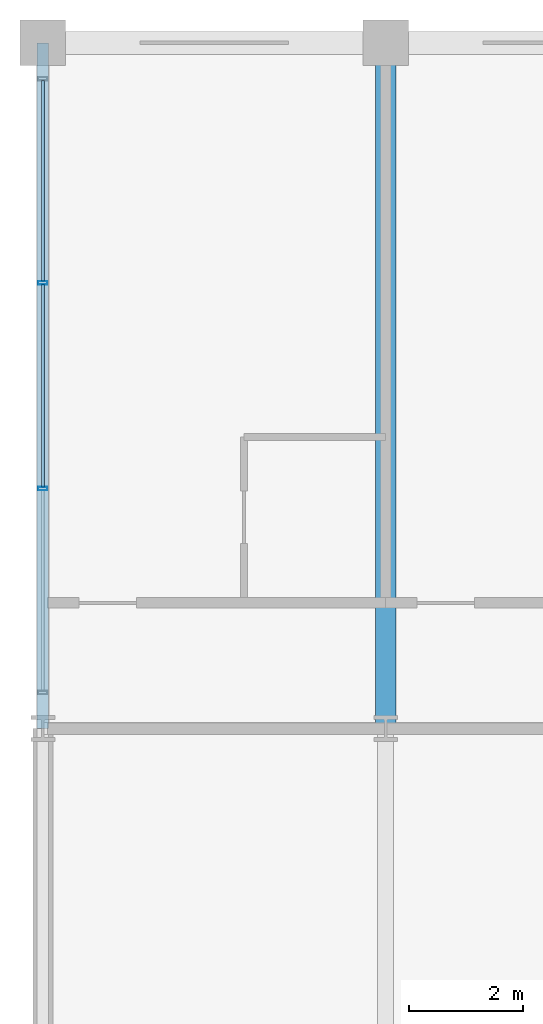
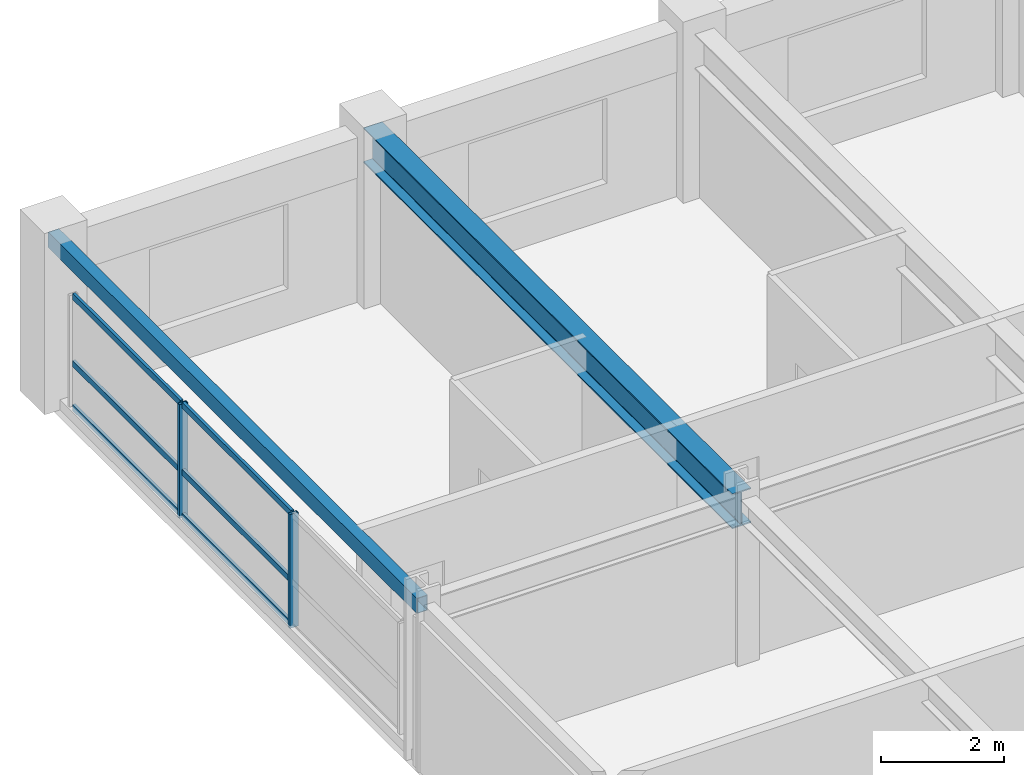
# One storey, part 8 of 27: 8 members, 2 beams, 1 element without a shape of its own.
"""IFC4 building model written with IfcOpenShell, lengths in metres."""

from ifc_helpers import new_model, si_unit, direction, frame, origin, origin_2d, place, context, subcontext, project, spatial, hollow_rectangle, i_section, extrude, material, material_profile, profile_set, type_object, element, aggregate, save


model = new_model("IFC4")

# Units and contexts
model_context = context("Model", 3, precision=1e-05, world=origin(), true_north=direction((0.0, 1.0)))
body_context = subcontext(model_context, "Body", "Model", "MODEL_VIEW")
ifc_project = project(units=[si_unit("LENGTHUNIT", "METRE"), si_unit("AREAUNIT", "SQUARE_METRE"), si_unit("VOLUMEUNIT", "CUBIC_METRE"), si_unit("PLANEANGLEUNIT", "RADIAN"), si_unit("MASSUNIT", "GRAM", prefix="KILO")], contexts=[model_context])

# Site, building, storey
site_placement = place(None, origin())
site = spatial("IfcSite", under=ifc_project, at=site_placement, CompositionType="ELEMENT")
building_placement = place(site_placement, origin())
building = spatial("IfcBuilding", under=site, at=building_placement, Name="Kaldorvane Square Convention Centre", CompositionType="ELEMENT")
storey_placement = place(building_placement, frame((0.0, 0.0, 38.399993896484375)))
storey = spatial("IfcBuildingStorey", under=building, at=storey_placement, Name="L08", CompositionType="ELEMENT", Elevation=38.399993896484375)

# Beams
ifc_material_1 = material(Name="Steel ASTM A992 Gr. 50", Category="steel")
ifc_material_profile_1 = material_profile(ifc_material_1, i_section(OverallWidth=0.354705810546875, OverallDepth=0.69549560546875, WebThickness=0.0153961181640625, FlangeThickness=0.0251007080078125, FilletRadius=0.01519775390625, at=origin_2d()), Name="W27X146")
ifc_profile_set_1 = profile_set([ifc_material_profile_1], Name="Steel ASTM A992 Gr. 50")
beam_type_1 = type_object("IfcBeamType", Name="BM-GR-W27X146", PredefinedType="BEAM", material=ifc_profile_set_1)
beam_1_placement = place(storey_placement, frame((30.0, 105.0, 2.9383087158203125), z_axis=(0.0, 1.0, 0.0), x_axis=(-1.0, 0.0, 0.0)))
element("IfcBeam", 1, at=beam_1_placement, inside=storey, type_object=beam_type_1, Name="Transverse Girder (L08)", PredefinedType="BEAM", context=body_context, shape_type="SweptSolid", body=[
    extrude(i_section(OverallWidth=0.354705810546875, OverallDepth=0.69549560546875, WebThickness=0.0153961181640625, FlangeThickness=0.0251007080078125, FilletRadius=0.01519775390625, at=origin_2d()), origin(), (0.0, 0.0, 1.0), 12.0),
])
ifc_material_2 = material(Name="Steel ASTM A500 Gr. C", Category="steel")
ifc_material_profile_2 = material_profile(ifc_material_2, hollow_rectangle(XDim=0.2032012939453125, YDim=0.3047943115234375, WallThickness=0.0088958740234375, at=origin_2d()), Name="HSS12X8X3/8")
ifc_profile_set_2 = profile_set([ifc_material_profile_2], Name="Steel ASTM A500 Gr. C")
beam_type_2 = type_object("IfcBeamType", Name="BM-SP-HSS12", PredefinedType="SPANDREL", material=ifc_profile_set_2)
beam_2_placement = place(storey_placement, frame((24.0, 105.0, 3.13360595703125), z_axis=(0.0, 1.0, 0.0), x_axis=(-1.0, 0.0, 0.0)))
element("IfcBeam", 2, at=beam_2_placement, inside=storey, type_object=beam_type_2, Name="End Spandrel (L08)", PredefinedType="SPANDREL", context=body_context, shape_type="SweptSolid", body=[
    extrude(hollow_rectangle(XDim=0.2032012939453125, YDim=0.3047943115234375, WallThickness=0.0088958740234375, at=origin_2d()), origin(), (0.0, 0.0, 1.0), 12.0),
])

# Curtain wall, members
ifc_material_3 = material(Name="Anodized Aluminum and Low-E Insulated Glazing", Category="aluminium")
curtain_wall_type = type_object("IfcCurtainWallType", Name="CW-UNI-HTL-B", PredefinedType="USERDEFINED", material=ifc_material_3)
curtain_wall_placement = place(storey_placement, origin())
curtain_wall = element("IfcCurtainWall", 3, at=curtain_wall_placement, inside=storey, type_object=curtain_wall_type, Name="Curtain Wall CW-11 (L08)", ObjectType="UNITISED GLAZING", PredefinedType="USERDEFINED")
ifc_material_profile_3 = material_profile(ifc_material_3, hollow_rectangle(XDim=0.05999755859375, YDim=0.160003662109375, WallThickness=0.003204345703125, at=origin_2d()), Name="CWM-160X60")
ifc_profile_set_3 = profile_set([ifc_material_profile_3], Name="Anodized Aluminum and Low-E Insulated Glazing")
member_type_1 = type_object("IfcMemberType", Name="CW-MUL-160", PredefinedType="MULLION", material=ifc_profile_set_3)
member_1_placement = place(storey_placement, frame((24.0, 112.80000305175781, 0.1500091552734375), z_axis=(0.0, 0.0, 1.0), x_axis=(0.0, -1.0, 0.0)))
member_1 = element("IfcMember", 4, at=member_1_placement, type_object=member_type_1, Name="CW-11 mullion 2", PredefinedType="MULLION", context=body_context, shape_type="SweptSolid", body=[
    extrude(hollow_rectangle(XDim=0.05999755859375, YDim=0.160003662109375, WallThickness=0.003204345703125, at=origin_2d()), origin(), (0.0, 0.0, 1.0), 2.2599945068359375),
])
member_2_placement = place(storey_placement, frame((24.0, 109.19999694824219, 0.1500091552734375), z_axis=(0.0, 0.0, 1.0), x_axis=(0.0, -1.0, 0.0)))
member_2 = element("IfcMember", 5, at=member_2_placement, type_object=member_type_1, Name="CW-11 mullion 3", PredefinedType="MULLION", context=body_context, shape_type="SweptSolid", body=[
    extrude(hollow_rectangle(XDim=0.05999755859375, YDim=0.160003662109375, WallThickness=0.003204345703125, at=origin_2d()), origin(), (0.0, 0.0, 1.0), 2.2599945068359375),
])
ifc_material_profile_4 = material_profile(ifc_material_3, hollow_rectangle(XDim=0.05499267578125, YDim=0.1199951171875, WallThickness=0.0030059814453125, at=origin_2d()), Name="CWT-120X55")
ifc_profile_set_4 = profile_set([ifc_material_profile_4], Name="Anodized Aluminum and Low-E Insulated Glazing")
member_type_2 = type_object("IfcMemberType", Name="CW-TRN-120", PredefinedType="USERDEFINED", material=ifc_profile_set_4)
member_3_placement = place(storey_placement, frame((24.0, 116.33999633789062, 0.1775054931640625), z_axis=(0.0, -1.0, 0.0), x_axis=(1.0, 0.0, 0.0)))
member_3 = element("IfcMember", 6, at=member_3_placement, type_object=member_type_2, Name="CW-11 transom 1.1", ObjectType="TRANSOM", PredefinedType="USERDEFINED", context=body_context, shape_type="SweptSolid", body=[
    extrude(hollow_rectangle(XDim=0.05499267578125, YDim=0.1199951171875, WallThickness=0.0030059814453125, at=origin_2d()), origin(), (0.0, 0.0, 1.0), 3.5099945068359375),
])
member_4_placement = place(storey_placement, frame((24.0, 116.33999633789062, 1.0500030517578125), z_axis=(0.0, -1.0, 0.0), x_axis=(1.0, 0.0, 0.0)))
member_4 = element("IfcMember", 7, at=member_4_placement, type_object=member_type_2, Name="CW-11 transom 1.2", ObjectType="TRANSOM", PredefinedType="USERDEFINED", context=body_context, shape_type="SweptSolid", body=[
    extrude(hollow_rectangle(XDim=0.05499267578125, YDim=0.1199951171875, WallThickness=0.0030059814453125, at=origin_2d()), origin(), (0.0, 0.0, 1.0), 3.5099945068359375),
])
member_5_placement = place(storey_placement, frame((24.0, 116.33999633789062, 2.38250732421875), z_axis=(0.0, -1.0, 0.0), x_axis=(1.0, 0.0, 0.0)))
member_5 = element("IfcMember", 8, at=member_5_placement, type_object=member_type_2, Name="CW-11 transom 1.3", ObjectType="TRANSOM", PredefinedType="USERDEFINED", context=body_context, shape_type="SweptSolid", body=[
    extrude(hollow_rectangle(XDim=0.05499267578125, YDim=0.1199951171875, WallThickness=0.0030059814453125, at=origin_2d()), origin(), (0.0, 0.0, 1.0), 3.5099945068359375),
])
member_6_placement = place(storey_placement, frame((24.0, 112.77000427246094, 0.1775054931640625), z_axis=(0.0, -1.0, 0.0), x_axis=(1.0, 0.0, 0.0)))
member_6 = element("IfcMember", 9, at=member_6_placement, type_object=member_type_2, Name="CW-11 transom 2.1", ObjectType="TRANSOM", PredefinedType="USERDEFINED", context=body_context, shape_type="SweptSolid", body=[
    extrude(hollow_rectangle(XDim=0.05499267578125, YDim=0.1199951171875, WallThickness=0.0030059814453125, at=origin_2d()), origin(), (0.0, 0.0, 1.0), 3.540008544921875),
])
member_7_placement = place(storey_placement, frame((24.0, 112.77000427246094, 1.0500030517578125), z_axis=(0.0, -1.0, 0.0), x_axis=(1.0, 0.0, 0.0)))
member_7 = element("IfcMember", 10, at=member_7_placement, type_object=member_type_2, Name="CW-11 transom 2.2", ObjectType="TRANSOM", PredefinedType="USERDEFINED", context=body_context, shape_type="SweptSolid", body=[
    extrude(hollow_rectangle(XDim=0.05499267578125, YDim=0.1199951171875, WallThickness=0.0030059814453125, at=origin_2d()), origin(), (0.0, 0.0, 1.0), 3.540008544921875),
])
member_8_placement = place(storey_placement, frame((24.0, 112.77000427246094, 2.38250732421875), z_axis=(0.0, -1.0, 0.0), x_axis=(1.0, 0.0, 0.0)))
member_8 = element("IfcMember", 11, at=member_8_placement, type_object=member_type_2, Name="CW-11 transom 2.3", ObjectType="TRANSOM", PredefinedType="USERDEFINED", context=body_context, shape_type="SweptSolid", body=[
    extrude(hollow_rectangle(XDim=0.05499267578125, YDim=0.1199951171875, WallThickness=0.0030059814453125, at=origin_2d()), origin(), (0.0, 0.0, 1.0), 3.540008544921875),
])
aggregate(curtain_wall, [member_1, member_2, member_3, member_4, member_5, member_6, member_7, member_8])

save(model, "model.ifc")
